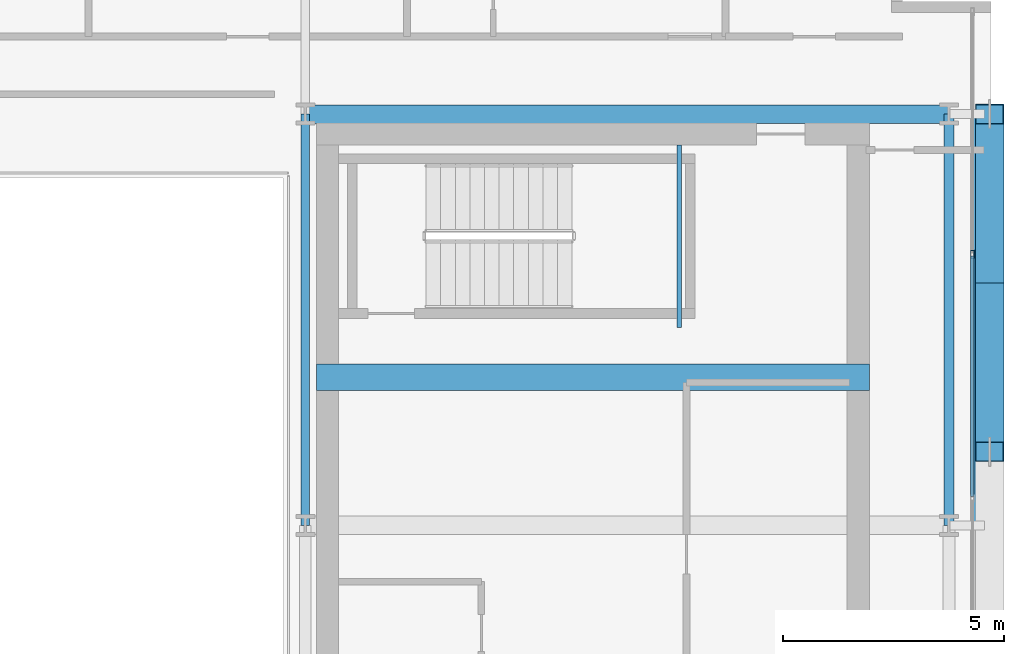
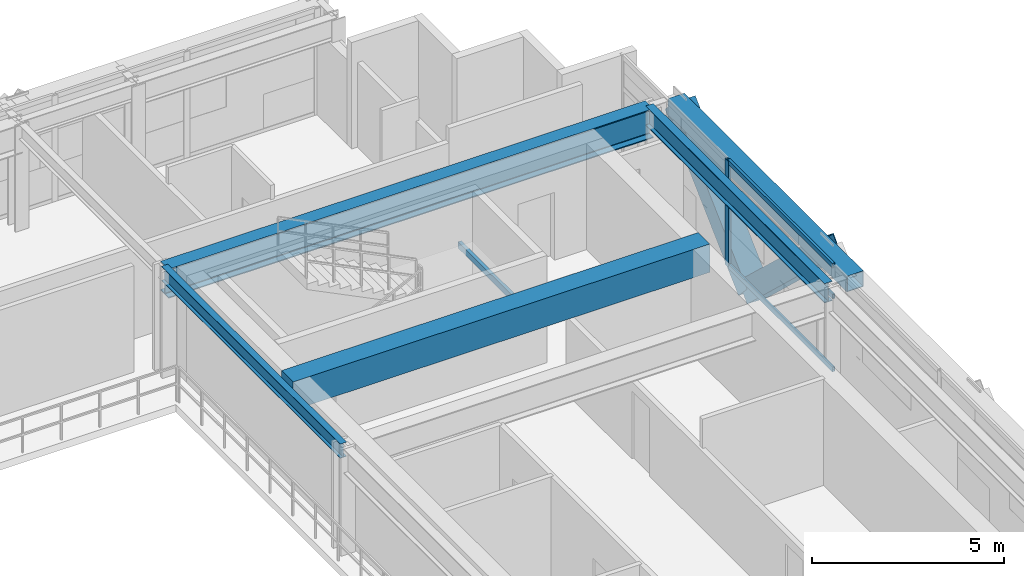
# One storey, part 14 of 31: 6 beams, 6 members, 1 element without a shape of its own.
"""IFC4 building model written with IfcOpenShell, lengths in metres."""

from ifc_helpers import new_model, si_unit, direction, frame, origin, origin_2d, place, context, subcontext, project, spatial, rectangle, hollow_rectangle, i_section, extrude, source, transform, mapped, material, layer, layer_set, material_profile, profile_set, type_object, element, aggregate, save


model = new_model("IFC4")

# Units and contexts
model_context = context("Model", 3, precision=1e-05, world=origin(), true_north=direction((0.0, 1.0)))
body_context = subcontext(model_context, "Body", "Model", "MODEL_VIEW")
ifc_project = project(units=[si_unit("LENGTHUNIT", "METRE"), si_unit("AREAUNIT", "SQUARE_METRE"), si_unit("VOLUMEUNIT", "CUBIC_METRE"), si_unit("PLANEANGLEUNIT", "RADIAN"), si_unit("MASSUNIT", "GRAM", prefix="KILO")], contexts=[model_context])

# Site, building, storey
site_placement = place(None, origin())
site = spatial("IfcSite", under=ifc_project, at=site_placement, CompositionType="ELEMENT")
building_placement = place(site_placement, origin())
building = spatial("IfcBuilding", under=site, at=building_placement, Name="Ocotamira Hotel", CompositionType="ELEMENT")
storey_placement = place(building_placement, frame((0.0, 0.0, 199.199951171875)))
storey = spatial("IfcBuildingStorey", under=building, at=storey_placement, Name="L50", CompositionType="ELEMENT", Elevation=199.199951171875)

# Beams
ifc_material_1 = material(Name="Concrete C50/60", Category="concrete")
ifc_material_profile_1 = material_profile(ifc_material_1, rectangle(XDim=0.60009765625, YDim=0.89990234375, at=origin_2d()), Name="RC600X900")
ifc_profile_set_1 = profile_set([ifc_material_profile_1], Name="Concrete C50/60")
beam_type_1 = type_object("IfcBeamType", Name="BM-LINK-RC600", PredefinedType="LINTEL", material=ifc_profile_set_1)
shared_shape_1 = source(origin(), body_context, "Body", "SweptSolid", [
    extrude(rectangle(XDim=0.60009765625, YDim=0.89990234375, at=origin_2d()), origin(), (0.0, 0.0, 1.0), 12.5),
])
beam_1_placement = place(storey_placement, frame((40.75, 31.5, 2.920166015625), z_axis=(1.0, 0.0, 0.0), x_axis=(0.0, 1.0, 0.0)))
element("IfcBeam", 1, at=beam_1_placement, inside=storey, type_object=beam_type_1, Name="L50 East Core Coupling Beam", PredefinedType="LINTEL", context=body_context, shape_type="MappedRepresentation", body=[
    mapped(shared_shape_1, transform((0.0, 0.0, 0.0), scale=1.0)),
])
ifc_material_2 = material(Name="Steel ASTM A500 Grade C", Category="steel")
ifc_material_profile_2 = material_profile(ifc_material_2, hollow_rectangle(XDim=0.10009765625, YDim=0.199951171875, WallThickness=0.008056640625, at=origin_2d()), Name="HSS200X100X8")
ifc_profile_set_2 = profile_set([ifc_material_profile_2], Name="Steel ASTM A500 Grade C")
beam_type_2 = type_object("IfcBeamType", Name="BM-STLDG-HSS200", PredefinedType="BEAM", material=ifc_profile_set_2)
shared_shape_2 = source(origin(), body_context, "Body", "SweptSolid", [
    extrude(hollow_rectangle(XDim=0.10009765625, YDim=0.199951171875, WallThickness=0.008056640625, at=origin_2d()), origin(), (0.0, 0.0, 1.0), 4.1201171875),
])
beam_2_placement = place(storey_placement, frame((48.949951171875, 32.6298828125, 1.5), z_axis=(0.0, 1.0, 0.0), x_axis=(-1.0, 0.0, 0.0)))
element("IfcBeam", 2, at=beam_2_placement, inside=storey, type_object=beam_type_2, Name="L50 Stair ST-4 Landing Bearer 1", PredefinedType="BEAM", context=body_context, shape_type="MappedRepresentation", body=[
    mapped(shared_shape_2, transform((0.0, 0.0, 0.0), scale=1.0)),
])
ifc_material_3 = material(Name="Steel ASTM A992 Grade 50", Category="steel")
ifc_material_profile_3 = material_profile(ifc_material_3, i_section(OverallWidth=0.41796875, OverallDepth=0.927001953125, WebThickness=0.019287109375, FlangeThickness=0.031982421875, FilletRadius=0.02392578125, at=origin_2d()), Name="W36X231")
ifc_profile_set_3 = profile_set([ifc_material_profile_3], Name="Steel ASTM A992 Grade 50")
beam_type_3 = type_object("IfcBeamType", Name="BM-GIRD-W36X231", PredefinedType="BEAM", material=ifc_profile_set_3)
shared_shape_3 = source(origin(), body_context, "Body", "SweptSolid", [
    extrude(i_section(OverallWidth=0.41796875, OverallDepth=0.927001953125, WebThickness=0.019287109375, FlangeThickness=0.031982421875, FilletRadius=0.02392578125, at=origin_2d()), origin(), (0.0, 0.0, 1.0), 14.550048828125),
])
beam_3_placement = place(storey_placement, frame((40.5, 37.449951171875, 2.906494140625), z_axis=(1.0, 0.0, 0.0), x_axis=(0.0, 1.0, 0.0)))
element("IfcBeam", 3, at=beam_3_placement, inside=storey, type_object=beam_type_3, Name="L50 Girder Y37.45 X40.5-55.05", PredefinedType="BEAM", context=body_context, shape_type="MappedRepresentation", body=[
    mapped(shared_shape_3, transform((0.0, 0.0, 0.0), scale=1.0)),
])
ifc_material_profile_4 = material_profile(ifc_material_3, i_section(OverallWidth=0.22998046875, OverallDepth=0.616943359375, WebThickness=0.01318359375, FlangeThickness=0.022216796875, FilletRadius=0.012939453125, at=origin_2d()), Name="W24X94")
ifc_profile_set_4 = profile_set([ifc_material_profile_4], Name="Steel ASTM A992 Grade 50")
beam_type_4 = type_object("IfcBeamType", Name="BM-PRIM-W24X94", PredefinedType="BEAM", material=ifc_profile_set_4)
shared_shape_4 = source(origin(), body_context, "Body", "SweptSolid", [
    extrude(i_section(OverallWidth=0.22998046875, OverallDepth=0.616943359375, WebThickness=0.01318359375, FlangeThickness=0.022216796875, FilletRadius=0.012939453125, at=origin_2d()), origin(), (0.0, 0.0, 1.0), 9.300048828125),
])
beam_4_placement = place(storey_placement, frame((55.050048828125, 28.14990234375, 3.0615234375), z_axis=(0.0, 1.0, 0.0), x_axis=(-1.0, 0.0, 0.0)))
element("IfcBeam", 4, at=beam_4_placement, inside=storey, type_object=beam_type_4, Name="L50 Beam X55.05 Y28.15-37.45", PredefinedType="BEAM", context=body_context, shape_type="MappedRepresentation", body=[
    mapped(shared_shape_4, transform((0.0, 0.0, 0.0), scale=1.0)),
])
ifc_material_profile_5 = material_profile(ifc_material_3, i_section(OverallWidth=0.18994140625, OverallDepth=0.45703125, WebThickness=0.009033203125, FlangeThickness=0.014404296875, FilletRadius=0.010009765625, at=origin_2d()), Name="W18X50")
ifc_profile_set_5 = profile_set([ifc_material_profile_5], Name="Steel ASTM A992 Grade 50")
beam_type_5 = type_object("IfcBeamType", Name="BM-SEC-W18X50", PredefinedType="JOIST", material=ifc_profile_set_5)
shared_shape_5 = source(origin(), body_context, "Body", "SweptSolid", [
    extrude(i_section(OverallWidth=0.18994140625, OverallDepth=0.45703125, WebThickness=0.009033203125, FlangeThickness=0.014404296875, FilletRadius=0.010009765625, at=origin_2d()), origin(), (0.0, 0.0, 1.0), 9.300048828125),
])
beam_5_placement = place(storey_placement, frame((40.5, 28.14990234375, 3.1416015625), z_axis=(0.0, 1.0, 0.0), x_axis=(-1.0, 0.0, 0.0)))
element("IfcBeam", 5, at=beam_5_placement, inside=storey, type_object=beam_type_5, Name="L50 Beam X40.5 Y28.15-37.45", PredefinedType="JOIST", context=body_context, shape_type="MappedRepresentation", body=[
    mapped(shared_shape_5, transform((0.0, 0.0, 0.0), scale=1.0)),
])
ifc_material_profile_6 = material_profile(ifc_material_2, hollow_rectangle(XDim=0.5, YDim=0.5, WallThickness=0.02001953125, at=origin_2d()), Name="HSS500X500X20")
ifc_profile_set_6 = profile_set([ifc_material_profile_6], Name="Steel ASTM A500 Grade C")
beam_type_6 = type_object("IfcBeamType", Name="BM-SPAN-HSS500", PredefinedType="USERDEFINED", material=ifc_profile_set_6)
shared_shape_6 = source(origin(), body_context, "Body", "SweptSolid", [
    extrude(hollow_rectangle(XDim=0.5, YDim=0.5, WallThickness=0.02001953125, at=origin_2d()), origin(), (0.0, 0.0, 1.0), 9.300048828125),
])
beam_6_placement = place(storey_placement, frame((55.85009765625, 28.14990234375, 3.1201171875), z_axis=(0.0, 1.0, 0.0), x_axis=(-1.0, 0.0, 0.0)))
element("IfcBeam", 6, at=beam_6_placement, inside=storey, type_object=beam_type_6, Name="L50 Edge Spandrel E Y28.15-37.45", ObjectType="SPANDREL", PredefinedType="USERDEFINED", context=body_context, shape_type="MappedRepresentation", body=[
    mapped(shared_shape_6, transform((0.0, 0.0, 0.0), scale=1.0)),
])

# Members
ifc_material_4 = material(Name="Pale-metal coated steel ASTM A913 Grade 65", Category="steel")
ifc_material_profile_7 = material_profile(ifc_material_4, hollow_rectangle(XDim=0.64990234375, YDim=0.64990234375, WallThickness=0.02197265625, at=origin_2d()), Name="BOX650X650X22")
ifc_profile_set_7 = profile_set([ifc_material_profile_7], Name="Pale-metal coated steel ASTM A913 Grade 65")
member_type_1 = type_object("IfcMemberType", Name="MEM-EXO-BOX650", PredefinedType="BRACE", material=ifc_profile_set_7)
shared_shape_7 = source(origin(), body_context, "Body", "SweptSolid", [
    extrude(hollow_rectangle(XDim=0.64990234375, YDim=0.64990234375, WallThickness=0.02197265625, at=origin_2d()), origin(), (0.0, 0.0, 1.0), 5.24658203125),
])
for number, where, z_axis, x_axis, name in (
    (7, (55.969970703125, 33.63330078125, -0.47998046875), (0.0, -0.727442733726, 0.686168397078), (1.0, 0.0, 0.0), "L50 Exoskeleton Diagrid E2.1"),
    (8, (55.969970703125, 33.63330078125, -0.47998046875), (0.0, 0.727442733726, 0.686168397078), (-1.0, 0.0, 0.0), "L50 Exoskeleton Diagrid E2.2"),
):
    element("IfcMember", number, at=place(storey_placement, frame(where, z_axis=z_axis, x_axis=x_axis)), inside=storey, type_object=member_type_1, Name=name, PredefinedType="BRACE", context=body_context, shape_type="MappedRepresentation", body=[
        mapped(shared_shape_7, transform((0.0, 0.0, 0.0), scale=1.0)),
    ])

# Curtain wall, members
ifc_material_5 = material(Name="Anodised pale-metal aluminium and solar glass", Category="aluminium")
ifc_layer = layer(ifc_material_5, 0.199951171875)
ifc_layer_set = layer_set([ifc_layer], Name="Anodised pale-metal aluminium and solar glass")
curtain_wall_type = type_object("IfcCurtainWallType", Name="CW-SYS4-Z3", PredefinedType="NOTDEFINED", material=ifc_layer_set)
curtain_wall_placement = place(storey_placement, origin())
curtain_wall = element("IfcCurtainWall", 9, at=curtain_wall_placement, inside=storey, type_object=curtain_wall_type, Name="L50 Curtain Wall CW-4 CW-L50-E", PredefinedType="NOTDEFINED")
ifc_material_6 = material(Name="Anodised pale-metal aluminium 6063-T6", Category="aluminium")
ifc_material_profile_8 = material_profile(ifc_material_6, hollow_rectangle(XDim=0.080078125, YDim=0.179931640625, WallThickness=0.006103515625, at=origin_2d()), Name="HSS180X80X6")
ifc_profile_set_8 = profile_set([ifc_material_profile_8], Name="Anodised pale-metal aluminium 6063-T6")
member_type_2 = type_object("IfcMemberType", Name="CWM-180X75", PredefinedType="MULLION", material=ifc_profile_set_8)
shared_shape_8 = source(origin(), body_context, "Body", "SweptSolid", [
    extrude(hollow_rectangle(XDim=0.080078125, YDim=0.179931640625, WallThickness=0.006103515625, at=origin_2d()), origin(), (0.0, 0.0, 1.0), 3.3701171875),
])
member_1_placement = place(storey_placement, frame((55.580078125, 34.280029296875, 0.0), z_axis=(0.0, 0.0, 1.0), x_axis=(-1.0, 0.0, 0.0)))
member_1 = element("IfcMember", 10, at=member_1_placement, type_object=member_type_2, Name="CW-4 mullion 5", PredefinedType="MULLION", context=body_context, shape_type="MappedRepresentation", body=[
    mapped(shared_shape_8, transform((0.0, 0.0, 0.0), scale=1.0)),
])
ifc_material_profile_9 = material_profile(ifc_material_6, hollow_rectangle(XDim=0.074951171875, YDim=0.14990234375, WallThickness=0.006103515625, at=origin_2d()), Name="HSS150X75X6")
ifc_profile_set_9 = profile_set([ifc_material_profile_9], Name="Anodised pale-metal aluminium 6063-T6")
member_type_3 = type_object("IfcMemberType", Name="CWT-150X75", PredefinedType="USERDEFINED", material=ifc_profile_set_9)
shared_shape_9 = source(origin(), body_context, "Body", "SweptSolid", [
    extrude(hollow_rectangle(XDim=0.074951171875, YDim=0.14990234375, WallThickness=0.006103515625, at=origin_2d()), origin(), (0.0, 0.0, 1.0), 5.43994140625),
])
member_2_placement = place(storey_placement, frame((55.580078125, 28.800048828125, 0.03759765625), z_axis=(0.0, 1.0, 0.0), x_axis=(-1.0, 0.0, 0.0)))
member_2 = element("IfcMember", 11, at=member_2_placement, type_object=member_type_3, Name="CW-4 transom 4.1", ObjectType="TRANSOM", PredefinedType="USERDEFINED", context=body_context, shape_type="MappedRepresentation", body=[
    mapped(shared_shape_9, transform((0.0, 0.0, 0.0), scale=1.0)),
])
member_3_placement = place(storey_placement, frame((55.580078125, 28.800048828125, 2.35009765625), z_axis=(0.0, 1.0, 0.0), x_axis=(-1.0, 0.0, 0.0)))
member_3 = element("IfcMember", 12, at=member_3_placement, type_object=member_type_3, Name="CW-4 transom 4.2", ObjectType="TRANSOM", PredefinedType="USERDEFINED", context=body_context, shape_type="MappedRepresentation", body=[
    mapped(shared_shape_9, transform((0.0, 0.0, 0.0), scale=1.0)),
])
member_4_placement = place(storey_placement, frame((55.580078125, 28.800048828125, 3.33251953125), z_axis=(0.0, 1.0, 0.0), x_axis=(-1.0, 0.0, 0.0)))
member_4 = element("IfcMember", 13, at=member_4_placement, type_object=member_type_3, Name="CW-4 transom 4.3", ObjectType="TRANSOM", PredefinedType="USERDEFINED", context=body_context, shape_type="MappedRepresentation", body=[
    mapped(shared_shape_9, transform((0.0, 0.0, 0.0), scale=1.0)),
])
aggregate(curtain_wall, [member_1, member_2, member_3, member_4])

save(model, "model.ifc")
